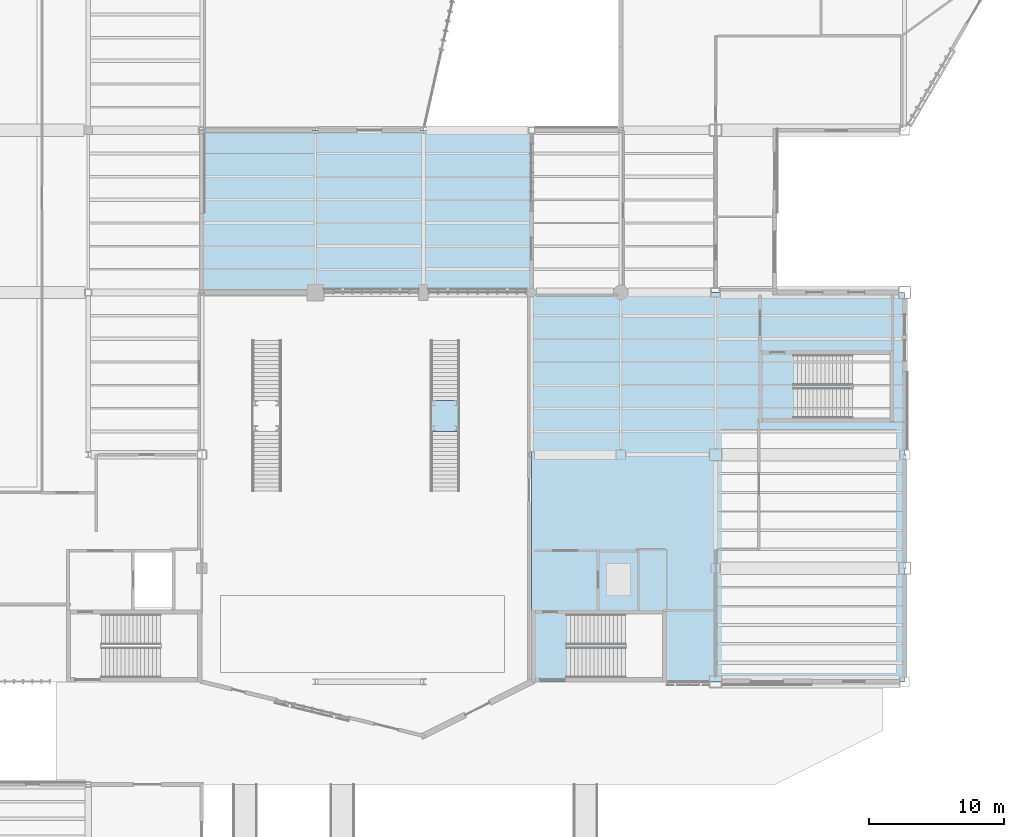
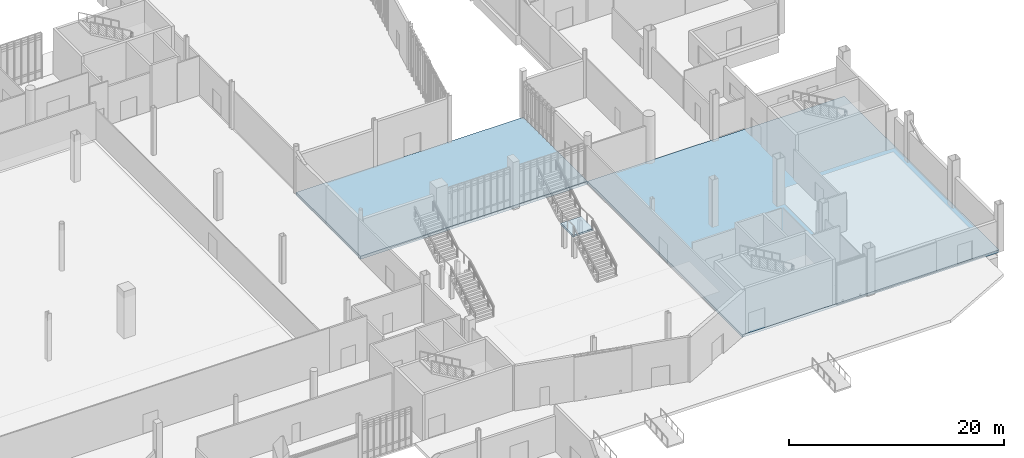
# One storey, part 60 of 111: 3 slabs, 1 element without a shape of its own.
"""IFC4 building model written with IfcOpenShell, lengths in metres."""

from ifc_helpers import new_model, si_unit, direction, frame, origin, place, context, subcontext, project, spatial, polyline, outline, extrude, material, layer, layer_set, type_object, element, aggregate, save


model = new_model("IFC4")

# Units and contexts
model_context = context("Model", 3, precision=1e-05, world=origin(), true_north=direction((0.0, 1.0)))
body_context = subcontext(model_context, "Body", "Model", "MODEL_VIEW")
ifc_project = project(units=[si_unit("LENGTHUNIT", "METRE"), si_unit("AREAUNIT", "SQUARE_METRE"), si_unit("VOLUMEUNIT", "CUBIC_METRE"), si_unit("PLANEANGLEUNIT", "RADIAN"), si_unit("MASSUNIT", "GRAM", prefix="KILO")], contexts=[model_context])

# Site, building, storey
site_placement = place(None, origin())
site = spatial("IfcSite", under=ifc_project, at=site_placement, CompositionType="ELEMENT")
building_placement = place(site_placement, origin())
building = spatial("IfcBuilding", under=site, at=building_placement, Name="Larkvane Passage Sports Hall", CompositionType="ELEMENT")
storey_placement = place(building_placement, origin())
storey = spatial("IfcBuildingStorey", under=building, at=storey_placement, Name="L00", CompositionType="ELEMENT", Elevation=0.0)

# Slab
ifc_material_1 = material(Name="Concrete C50/60", Category="concrete")
ifc_layer_1 = layer(ifc_material_1, 0.2900390625)
ifc_layer_set_1 = layer_set([ifc_layer_1], Name="Concrete C50/60")
slab_type_1 = type_object("IfcSlabType", Name="SLB-FLR-290", PredefinedType="FLOOR", material=ifc_layer_set_1)
slab_1_placement = place(storey_placement, frame((0.0, 0.0, -0.2900390625)))
element("IfcSlab", 1, at=slab_1_placement, inside=storey, type_object=slab_type_1, Name="Structural floor slab SLAB-L00-V2", PredefinedType="FLOOR", context=body_context, shape_type="SweptSolid", body=[
    extrude(outline(polyline([(118.0, 22.800048828125), (145.60009765625, 22.800048828125), (145.60009765625, 51.60009765625), (118.0, 51.60009765625), (118.0, 22.800048828125)])), origin(), (0.0, 0.0, 1.0), 0.2900390625),
])

# Stair, slab
ifc_material_2 = material(Name="Concrete C40/50", Category="concrete")
stair_type = type_object("IfcStairType", Name="STR-FOYER-2200", PredefinedType="TWO_STRAIGHT_RUN_STAIR", material=ifc_material_2)
stair_placement = place(storey_placement, origin())
stair = element("IfcStair", 2, at=stair_placement, inside=storey, type_object=stair_type, Name="Entrance foyer feature stair ST-F2", PredefinedType="TWO_STRAIGHT_RUN_STAIR")
ifc_layer_2 = layer(ifc_material_2, 0.199951171875)
ifc_layer_set_2 = layer_set([ifc_layer_2], Name="Concrete C40/50")
slab_type_2 = type_object("IfcSlabType", Name="SLB-LAND-200", PredefinedType="LANDING", material=ifc_layer_set_2)
slab_2_placement = place(storey_placement, frame((0.0, 0.0, 2.5)))
slab_2 = element("IfcSlab", 3, at=slab_2_placement, type_object=slab_type_2, Name="ST-F2 landing 1", PredefinedType="LANDING", context=body_context, shape_type="SweptSolid", body=[
    extrude(outline(polyline([(110.5, 41.324951171875), (112.699951171875, 41.324951171875), (112.699951171875, 43.625), (110.5, 43.625), (110.5, 41.324951171875)])), origin(), (0.0, 0.0, 1.0), 0.199951171875),
])
aggregate(stair, [slab_2])

# Slab
ifc_layer_3 = layer(ifc_material_2, 0.340087890625)
ifc_layer_set_3 = layer_set([ifc_layer_3], Name="Concrete C40/50")
slab_type_3 = type_object("IfcSlabType", Name="SLB-TER-195", PredefinedType="FLOOR", material=ifc_layer_set_3)
slab_3_placement = place(storey_placement, frame((0.0, 0.0, -0.340087890625)))
element("IfcSlab", 4, at=slab_3_placement, inside=storey, type_object=slab_type_3, Name="Exterior terrace deck SLAB-EXT-L00-PASS-N", PredefinedType="FLOOR", context=body_context, shape_type="SweptSolid", body=[
    extrude(outline(polyline([(93.60009765625, 51.60009765625), (118.0, 51.60009765625), (118.0, 63.60009765625), (110.0, 63.60009765625), (93.60009765625, 63.60009765625), (93.60009765625, 51.60009765625)])), origin(), (0.0, 0.0, 1.0), 0.340087890625),
])

save(model, "model.ifc")
